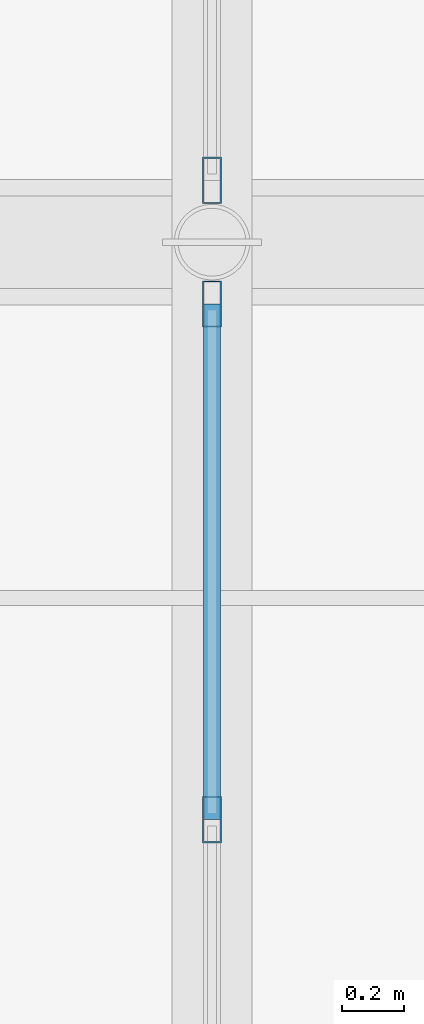
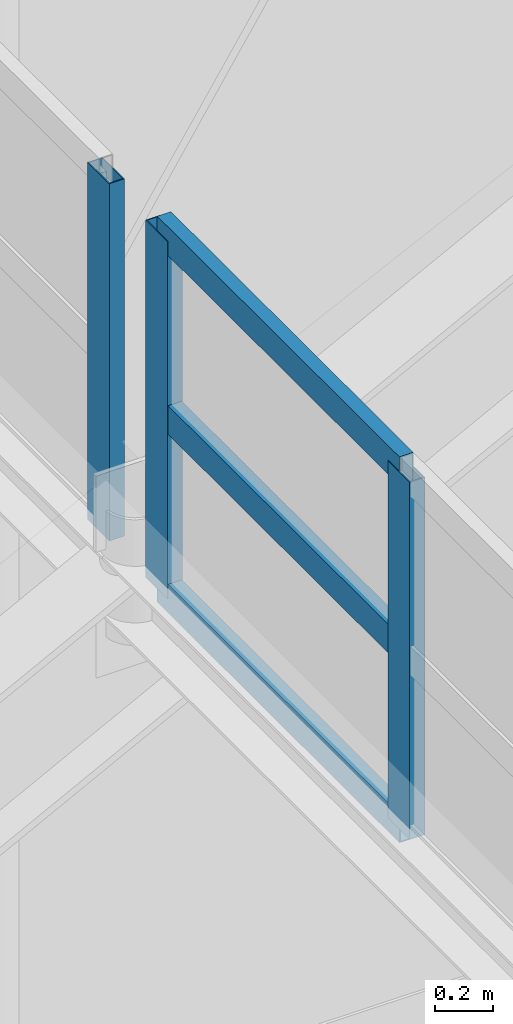
# One storey, part 47 of 84: 6 members, 2 elements without a shape of their own.
"""IFC4 building model written with IfcOpenShell, lengths in metres."""

from ifc_helpers import new_model, si_unit, direction, frame, origin, origin_2d, place, context, subcontext, project, spatial, hollow_rectangle, extrude, material, layer, layer_set, material_profile, profile_set, type_object, element, aggregate, save


model = new_model("IFC4")

# Units and contexts
model_context = context("Model", 3, precision=1e-05, world=origin(), true_north=direction((0.0, 1.0)))
body_context = subcontext(model_context, "Body", "Model", "MODEL_VIEW")
ifc_project = project(units=[si_unit("LENGTHUNIT", "METRE"), si_unit("AREAUNIT", "SQUARE_METRE"), si_unit("VOLUMEUNIT", "CUBIC_METRE"), si_unit("PLANEANGLEUNIT", "RADIAN"), si_unit("MASSUNIT", "GRAM", prefix="KILO")], contexts=[model_context])

# Site, building, storey
site_placement = place(None, origin())
site = spatial("IfcSite", under=ifc_project, at=site_placement, CompositionType="ELEMENT")
building_placement = place(site_placement, origin())
building = spatial("IfcBuilding", under=site, at=building_placement, Name="Sundgate Opera House", CompositionType="ELEMENT")
storey_placement = place(building_placement, frame((0.0, 0.0, 30.60009765625)))
storey = spatial("IfcBuildingStorey", under=building, at=storey_placement, Name="L06", CompositionType="ELEMENT", Elevation=30.60009765625)

# Curtain wall, members
ifc_material_1 = material(Name="Anodized aluminium and low-iron glass", Category="aluminium")
ifc_layer = layer(ifc_material_1, 0.169921875)
ifc_layer_set = layer_set([ifc_layer], Name="Anodized aluminium and low-iron glass")
curtain_wall_type = type_object("IfcCurtainWallType", Name="CW-LANTERN-POLY", PredefinedType="NOTDEFINED", material=ifc_layer_set)
curtain_wall_1_placement = place(storey_placement, origin())
curtain_wall_1 = element("IfcCurtainWall", 1, at=curtain_wall_1_placement, inside=storey, type_object=curtain_wall_type, Name="L06 Curtain Wall CW183", PredefinedType="NOTDEFINED")
ifc_material_2 = material(Name="Anodized aluminium EN AW-6063", Category="aluminium")
ifc_material_profile_1 = material_profile(ifc_material_2, hollow_rectangle(XDim=0.06005859375, YDim=0.14990234375, WallThickness=0.00390625, at=origin_2d()), Name="CWM 150x60x4")
ifc_profile_set_1 = profile_set([ifc_material_profile_1], Name="Anodized aluminium EN AW-6063")
member_type_1 = type_object("IfcMemberType", Name="CWM-ALU-150x60", PredefinedType="MULLION", material=ifc_profile_set_1)
member_1_placement = place(storey_placement, frame((51.5, 76.0, 16.199951171875), z_axis=(0.0, 0.0, 1.0), x_axis=(1.0, 0.0, 0.0)))
member_1 = element("IfcMember", 2, at=member_1_placement, type_object=member_type_1, Name="CW183 Mullion 1", PredefinedType="MULLION", context=body_context, shape_type="SweptSolid", body=[
    extrude(hollow_rectangle(XDim=0.06005859375, YDim=0.14990234375, WallThickness=0.00390625, at=origin_2d()), origin(), (0.0, 0.0, 1.0), 1.5),
])
member_2_placement = place(storey_placement, frame((51.5, 74.333251953125, 16.199951171875), z_axis=(0.0, 0.0, 1.0), x_axis=(1.0, 0.0, 0.0)))
member_2 = element("IfcMember", 3, at=member_2_placement, type_object=member_type_1, Name="CW183 Mullion 2", PredefinedType="MULLION", context=body_context, shape_type="SweptSolid", body=[
    extrude(hollow_rectangle(XDim=0.06005859375, YDim=0.14990234375, WallThickness=0.00390625, at=origin_2d()), origin(), (0.0, 0.0, 1.0), 1.5),
])

# Curtain wall, member
curtain_wall_2_placement = place(storey_placement, origin())
curtain_wall_2 = element("IfcCurtainWall", 4, at=curtain_wall_2_placement, inside=storey, type_object=curtain_wall_type, Name="L06 Curtain Wall CW185", PredefinedType="NOTDEFINED")
member_3_placement = place(storey_placement, frame((51.5, 76.39990234375, 16.199951171875), z_axis=(0.0, 0.0, 1.0), x_axis=(1.0, 0.0, 0.0)))
member_3 = element("IfcMember", 5, at=member_3_placement, type_object=member_type_1, Name="CW185 Mullion 4", PredefinedType="MULLION", context=body_context, shape_type="SweptSolid", body=[
    extrude(hollow_rectangle(XDim=0.06005859375, YDim=0.14990234375, WallThickness=0.00390625, at=origin_2d()), origin(), (0.0, 0.0, 1.0), 1.5),
])
aggregate(curtain_wall_2, [member_3])

# Member
ifc_material_3 = material(Name="Anodized aluminium EN AW-6063", Category="aluminium")
ifc_material_profile_2 = material_profile(ifc_material_3, hollow_rectangle(XDim=0.054931640625, YDim=0.1201171875, WallThickness=0.00390625, at=origin_2d()), Name="CWT 120x55x4")
ifc_profile_set_2 = profile_set([ifc_material_profile_2], Name="Anodized aluminium EN AW-6063")
member_type_2 = type_object("IfcMemberType", Name="CWT-ALU-120x55", PredefinedType="USERDEFINED", material=ifc_profile_set_2)
member_4_placement = place(storey_placement, frame((51.5, 76.0, 16.199951171875), z_axis=(0.0, -1.0, 0.0), x_axis=(1.0, 0.0, 0.0)))
member_4 = element("IfcMember", 6, at=member_4_placement, type_object=member_type_2, Name="CW183 Transom 1", ObjectType="TRANSOM", PredefinedType="USERDEFINED", context=body_context, shape_type="SweptSolid", body=[
    extrude(hollow_rectangle(XDim=0.054931640625, YDim=0.1201171875, WallThickness=0.00390625, at=origin_2d()), origin(), (0.0, 0.0, 1.0), 1.666748046875),
])

member_5_placement = place(storey_placement, frame((51.5, 76.0, 16.949951171875), z_axis=(0.0, -1.0, 0.0), x_axis=(1.0, 0.0, 0.0)))
member_5 = element("IfcMember", 7, at=member_5_placement, type_object=member_type_2, Name="CW183 Transom 2", ObjectType="TRANSOM", PredefinedType="USERDEFINED", context=body_context, shape_type="SweptSolid", body=[
    extrude(hollow_rectangle(XDim=0.054931640625, YDim=0.1201171875, WallThickness=0.00390625, at=origin_2d()), origin(), (0.0, 0.0, 1.0), 1.666748046875),
])

member_6_placement = place(storey_placement, frame((51.5, 76.0, 17.699951171875), z_axis=(0.0, -1.0, 0.0), x_axis=(1.0, 0.0, 0.0)))
member_6 = element("IfcMember", 8, at=member_6_placement, type_object=member_type_2, Name="CW183 Transom 3", ObjectType="TRANSOM", PredefinedType="USERDEFINED", context=body_context, shape_type="SweptSolid", body=[
    extrude(hollow_rectangle(XDim=0.054931640625, YDim=0.1201171875, WallThickness=0.00390625, at=origin_2d()), origin(), (0.0, 0.0, 1.0), 1.666748046875),
])

aggregate(curtain_wall_1, [member_1, member_2, member_4, member_5, member_6])

save(model, "model.ifc")
